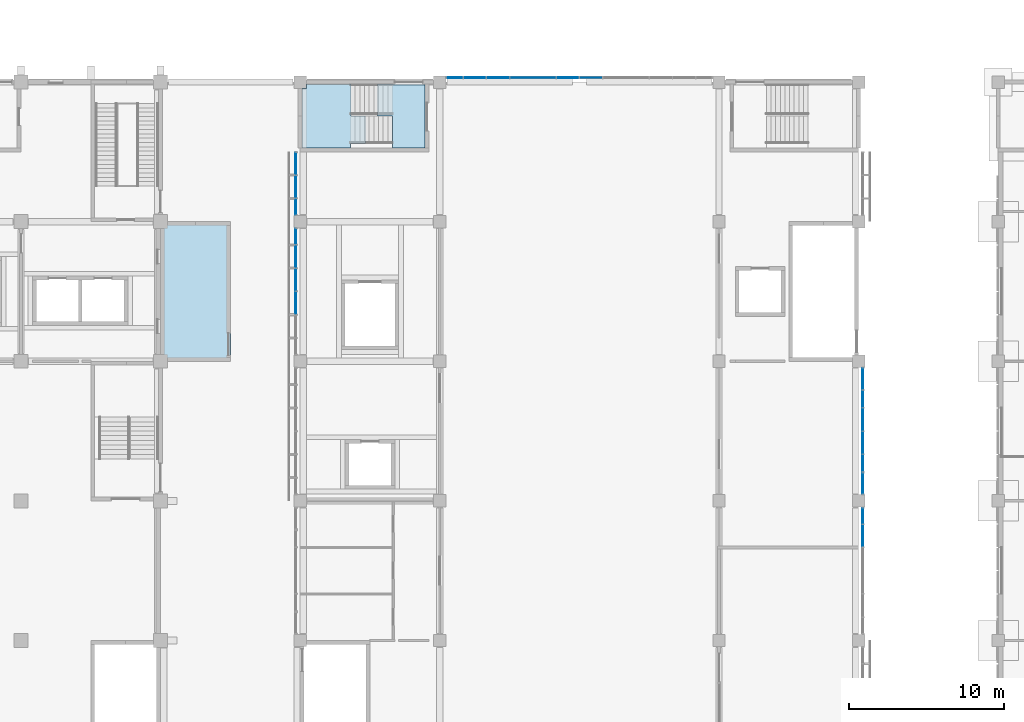
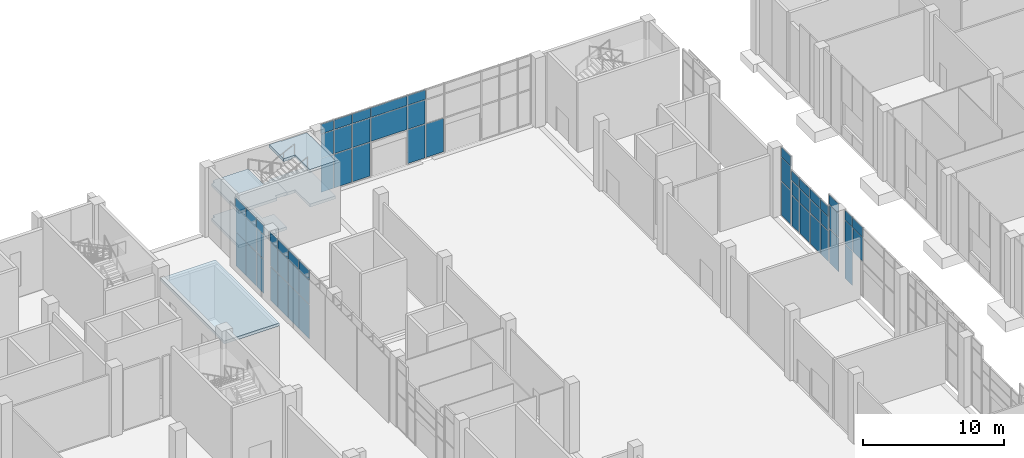
# One storey, part 43 of 86: 59 plates, 5 slabs, 8 elements without a shape of their own.
"""IFC4 building model written with IfcOpenShell, lengths in metres."""

from ifc_helpers import new_model, si_unit, direction, frame, origin, origin_2d, place, context, subcontext, project, spatial, polyline, rectangle, outline, extrude, material, layer, layer_set, type_object, element, aggregate, save


model = new_model("IFC4")

# Units and contexts
model_context = context("Model", 3, precision=1e-05, world=origin(), true_north=direction((0.0, 1.0)))
body_context = subcontext(model_context, "Body", "Model", "MODEL_VIEW")
ifc_project = project(units=[si_unit("LENGTHUNIT", "METRE"), si_unit("AREAUNIT", "SQUARE_METRE"), si_unit("VOLUMEUNIT", "CUBIC_METRE"), si_unit("PLANEANGLEUNIT", "RADIAN"), si_unit("MASSUNIT", "GRAM", prefix="KILO")], contexts=[model_context])

# Site, building, storey
site_placement = place(None, origin())
site = spatial("IfcSite", under=ifc_project, at=site_placement, CompositionType="ELEMENT")
building_placement = place(site_placement, origin())
building = spatial("IfcBuilding", under=site, at=building_placement, Name="Guidao Yard Department Store", CompositionType="ELEMENT")
storey_placement = place(building_placement, origin())
storey = spatial("IfcBuildingStorey", under=building, at=storey_placement, Name="L00", CompositionType="ELEMENT", Elevation=0.0)

# Slab
ifc_material_1 = material(Name="Concrete C35", Category="concrete")
ifc_layer_1 = layer(ifc_material_1, 0.25)
ifc_layer_set_1 = layer_set([ifc_layer_1], Name="Roof slab RC 250 C35 head house")
slab_type_1 = type_object("IfcSlabType", Name="Roof slab RC 250 C35 head house", PredefinedType="ROOF", material=ifc_layer_set_1)
slab_1_placement = place(storey_placement, frame((0.0, 0.0, 4.5)))
element("IfcSlab", 1, at=slab_1_placement, inside=storey, type_object=slab_type_1, Name="Basement stair H2 head roof", PredefinedType="ROOF", context=body_context, shape_type="SweptSolid", body=[
    extrude(outline(polyline([(63.0, 90.0), (67.5, 90.0), (67.5, 99.0), (63.0, 99.0), (63.0, 90.0)])), origin(), (0.0, 0.0, 1.0), 0.25),
])

# Curtain wall, plates
ifc_material_2 = material(Name="Aluminium and glass", Category="aluminium")
ifc_layer_2 = layer(ifc_material_2, 0.159912109375)
ifc_layer_set_2 = layer_set([ifc_layer_2], Name="Shopfront curtain wall CW1 1500 module")
curtain_wall_type = type_object("IfcCurtainWallType", Name="Shopfront curtain wall CW1 1500 module", PredefinedType="NOTDEFINED", material=ifc_layer_set_2)
curtain_wall_1_placement = place(storey_placement, origin())
curtain_wall_1 = element("IfcCurtainWall", 2, at=curtain_wall_1_placement, inside=storey, type_object=curtain_wall_type, Name="Arcade shop front", PredefinedType="NOTDEFINED")
ifc_material_3 = material(Name="Aluminium 6063-T5 faced insulated spandrel", Category="aluminium")
ifc_layer_3 = layer(ifc_material_3, 0.06005859375)
ifc_layer_set_3 = layer_set([ifc_layer_3], Name="Spandrel panel SP1 insulated opaque")
plate_type_1 = type_object("IfcPlateType", Name="Spandrel panel SP1 insulated opaque", PredefinedType="CURTAIN_PANEL", material=ifc_layer_set_3)
plate_1_placement = place(storey_placement, frame((71.719970703125, 93.75, 5.1298828125), z_axis=(0.0, 0.0, 1.0), x_axis=(0.0, 1.0, 0.0)))
plate_1 = element("IfcPlate", 3, at=plate_1_placement, type_object=plate_type_1, Name="CW-AS-L00-09 panel 3.3", PredefinedType="CURTAIN_PANEL", context=body_context, shape_type="SweptSolid", body=[
    extrude(rectangle(XDim=1.43994140625, YDim=0.06005859375, at=origin_2d()), origin(), (0.0, 0.0, 1.0), 0.81005859375),
])
plate_2_placement = place(storey_placement, frame((71.719970703125, 95.25, 5.1298828125), z_axis=(0.0, 0.0, 1.0), x_axis=(0.0, 1.0, 0.0)))
plate_2 = element("IfcPlate", 4, at=plate_2_placement, type_object=plate_type_1, Name="CW-AS-L00-09 panel 4.3", PredefinedType="CURTAIN_PANEL", context=body_context, shape_type="SweptSolid", body=[
    extrude(rectangle(XDim=1.43994140625, YDim=0.06005859375, at=origin_2d()), origin(), (0.0, 0.0, 1.0), 0.81005859375),
])
plate_3_placement = place(storey_placement, frame((71.719970703125, 96.75, 5.1298828125), z_axis=(0.0, 0.0, 1.0), x_axis=(0.0, 1.0, 0.0)))
plate_3 = element("IfcPlate", 5, at=plate_3_placement, type_object=plate_type_1, Name="CW-AS-L00-09 panel 5.3", PredefinedType="CURTAIN_PANEL", context=body_context, shape_type="SweptSolid", body=[
    extrude(rectangle(XDim=1.43994140625, YDim=0.06005859375, at=origin_2d()), origin(), (0.0, 0.0, 1.0), 0.81005859375),
])
plate_4_placement = place(storey_placement, frame((71.719970703125, 98.034912109375, 5.1298828125), z_axis=(0.0, 0.0, 1.0), x_axis=(0.0, 1.0, 0.0)))
plate_4 = element("IfcPlate", 6, at=plate_4_placement, type_object=plate_type_1, Name="CW-AS-L00-09 panel 6.3", PredefinedType="CURTAIN_PANEL", context=body_context, shape_type="SweptSolid", body=[
    extrude(rectangle(XDim=1.010009765625, YDim=0.06005859375, at=origin_2d()), origin(), (0.0, 0.0, 1.0), 0.81005859375),
])

curtain_wall_2_placement = place(storey_placement, origin())
curtain_wall_2 = element("IfcCurtainWall", 7, at=curtain_wall_2_placement, inside=storey, type_object=curtain_wall_type, Name="Arcade shop front", PredefinedType="NOTDEFINED")
plate_5_placement = place(storey_placement, frame((71.719970703125, 99.965087890625, 5.1298828125), z_axis=(0.0, 0.0, 1.0), x_axis=(0.0, 1.0, 0.0)))
plate_5 = element("IfcPlate", 8, at=plate_5_placement, type_object=plate_type_1, Name="CW-AS-L00-10 panel 1.3", PredefinedType="CURTAIN_PANEL", context=body_context, shape_type="SweptSolid", body=[
    extrude(rectangle(XDim=1.010009765625, YDim=0.06005859375, at=origin_2d()), origin(), (0.0, 0.0, 1.0), 0.81005859375),
])
plate_6_placement = place(storey_placement, frame((71.719970703125, 101.25, 5.1298828125), z_axis=(0.0, 0.0, 1.0), x_axis=(0.0, 1.0, 0.0)))
plate_6 = element("IfcPlate", 9, at=plate_6_placement, type_object=plate_type_1, Name="CW-AS-L00-10 panel 2.3", PredefinedType="CURTAIN_PANEL", context=body_context, shape_type="SweptSolid", body=[
    extrude(rectangle(XDim=1.43994140625, YDim=0.06005859375, at=origin_2d()), origin(), (0.0, 0.0, 1.0), 0.81005859375),
])
plate_7_placement = place(storey_placement, frame((71.719970703125, 102.735107421875, 5.1298828125), z_axis=(0.0, 0.0, 1.0), x_axis=(0.0, 1.0, 0.0)))
plate_7 = element("IfcPlate", 10, at=plate_7_placement, type_object=plate_type_1, Name="CW-AS-L00-10 panel 3.3", PredefinedType="CURTAIN_PANEL", context=body_context, shape_type="SweptSolid", body=[
    extrude(rectangle(XDim=1.409912109375, YDim=0.06005859375, at=origin_2d()), origin(), (0.0, 0.0, 1.0), 0.81005859375),
])

curtain_wall_3_placement = place(storey_placement, origin())
curtain_wall_3 = element("IfcCurtainWall", 11, at=curtain_wall_3_placement, inside=storey, type_object=curtain_wall_type, Name="Arcade shop front", PredefinedType="NOTDEFINED")
plate_8_placement = place(storey_placement, frame((108.280029296875, 78.75, 5.1298828125), z_axis=(0.0, 0.0, 1.0), x_axis=(0.0, -1.0, 0.0)))
plate_8 = element("IfcPlate", 12, at=plate_8_placement, type_object=plate_type_1, Name="CW-AS-L00-16 panel 4.3", PredefinedType="CURTAIN_PANEL", context=body_context, shape_type="SweptSolid", body=[
    extrude(rectangle(XDim=1.43994140625, YDim=0.06005859375, at=origin_2d()), origin(), (0.0, 0.0, 1.0), 0.81005859375),
])
plate_9_placement = place(storey_placement, frame((108.280029296875, 80.034912109375, 5.1298828125), z_axis=(0.0, 0.0, 1.0), x_axis=(0.0, -1.0, 0.0)))
plate_9 = element("IfcPlate", 13, at=plate_9_placement, type_object=plate_type_1, Name="CW-AS-L00-16 panel 5.3", PredefinedType="CURTAIN_PANEL", context=body_context, shape_type="SweptSolid", body=[
    extrude(rectangle(XDim=1.010009765625, YDim=0.06005859375, at=origin_2d()), origin(), (0.0, 0.0, 1.0), 0.81005859375),
])

# Curtain wall, plate
curtain_wall_4_placement = place(storey_placement, origin())
curtain_wall_4 = element("IfcCurtainWall", 14, at=curtain_wall_4_placement, inside=storey, type_object=curtain_wall_type, Name="Arcade shop front", PredefinedType="NOTDEFINED")
plate_10_placement = place(storey_placement, frame((108.280029296875, 82.125, 5.1298828125), z_axis=(0.0, 0.0, 1.0), x_axis=(0.0, -1.0, 0.0)))
plate_10 = element("IfcPlate", 15, at=plate_10_placement, type_object=plate_type_1, Name="CW-AS-L00-17 panel 1.3", PredefinedType="CURTAIN_PANEL", context=body_context, shape_type="SweptSolid", body=[
    extrude(rectangle(XDim=1.330078125, YDim=0.06005859375, at=origin_2d()), origin(), (0.0, 0.0, 1.0), 0.81005859375),
])

# Curtain wall, plates
curtain_wall_5_placement = place(storey_placement, origin())
curtain_wall_5 = element("IfcCurtainWall", 16, at=curtain_wall_5_placement, inside=storey, type_object=curtain_wall_type, Name="Arcade shop front", PredefinedType="NOTDEFINED")
plate_11_placement = place(storey_placement, frame((108.280029296875, 83.43994140625, 3.97998046875), z_axis=(0.0, 0.0, 1.0), x_axis=(0.0, -1.0, 0.0)))
plate_11 = element("IfcPlate", 17, at=plate_11_placement, type_object=plate_type_1, Name="CW-AS-L00-18 panel 1.3", PredefinedType="CURTAIN_PANEL", context=body_context, shape_type="SweptSolid", body=[
    extrude(rectangle(XDim=1.06005859375, YDim=0.06005859375, at=origin_2d()), origin(), (0.0, 0.0, 1.0), 0.81005859375),
])
plate_12_placement = place(storey_placement, frame((108.280029296875, 84.75, 3.97998046875), z_axis=(0.0, 0.0, 1.0), x_axis=(0.0, -1.0, 0.0)))
plate_12 = element("IfcPlate", 18, at=plate_12_placement, type_object=plate_type_1, Name="CW-AS-L00-18 panel 2.3", PredefinedType="CURTAIN_PANEL", context=body_context, shape_type="SweptSolid", body=[
    extrude(rectangle(XDim=1.43994140625, YDim=0.06005859375, at=origin_2d()), origin(), (0.0, 0.0, 1.0), 0.81005859375),
])
plate_13_placement = place(storey_placement, frame((108.280029296875, 86.25, 3.97998046875), z_axis=(0.0, 0.0, 1.0), x_axis=(0.0, -1.0, 0.0)))
plate_13 = element("IfcPlate", 19, at=plate_13_placement, type_object=plate_type_1, Name="CW-AS-L00-18 panel 3.3", PredefinedType="CURTAIN_PANEL", context=body_context, shape_type="SweptSolid", body=[
    extrude(rectangle(XDim=1.43994140625, YDim=0.06005859375, at=origin_2d()), origin(), (0.0, 0.0, 1.0), 0.81005859375),
])
plate_14_placement = place(storey_placement, frame((108.280029296875, 87.56005859375, 3.97998046875), z_axis=(0.0, 0.0, 1.0), x_axis=(0.0, -1.0, 0.0)))
plate_14 = element("IfcPlate", 20, at=plate_14_placement, type_object=plate_type_1, Name="CW-AS-L00-18 panel 4.3", PredefinedType="CURTAIN_PANEL", context=body_context, shape_type="SweptSolid", body=[
    extrude(rectangle(XDim=1.06005859375, YDim=0.06005859375, at=origin_2d()), origin(), (0.0, 0.0, 1.0), 0.81005859375),
])

# Curtain wall, plate
curtain_wall_6_placement = place(storey_placement, origin())
curtain_wall_6 = element("IfcCurtainWall", 21, at=curtain_wall_6_placement, inside=storey, type_object=curtain_wall_type, Name="Arcade shop front", PredefinedType="NOTDEFINED")
plate_15_placement = place(storey_placement, frame((108.280029296875, 88.875, 5.1298828125), z_axis=(0.0, 0.0, 1.0), x_axis=(0.0, -1.0, 0.0)))
plate_15 = element("IfcPlate", 22, at=plate_15_placement, type_object=plate_type_1, Name="CW-AS-L00-19 panel 1.3", PredefinedType="CURTAIN_PANEL", context=body_context, shape_type="SweptSolid", body=[
    extrude(rectangle(XDim=1.330078125, YDim=0.06005859375, at=origin_2d()), origin(), (0.0, 0.0, 1.0), 0.81005859375),
])

# Curtain wall, plates
curtain_wall_7_placement = place(storey_placement, origin())
curtain_wall_7 = element("IfcCurtainWall", 23, at=curtain_wall_7_placement, inside=storey, type_object=curtain_wall_type, Name="Arcade gable glazing", PredefinedType="NOTDEFINED")
plate_16_placement = place(storey_placement, frame((81.965087890625, 108.280029296875, 5.1298828125), z_axis=(0.0, 0.0, 1.0), x_axis=(1.0, 0.0, 0.0)))
plate_16 = element("IfcPlate", 24, at=plate_16_placement, type_object=plate_type_1, Name="CW-AG-L00-01 panel 1.3", PredefinedType="CURTAIN_PANEL", context=body_context, shape_type="SweptSolid", body=[
    extrude(rectangle(XDim=1.010009765625, YDim=0.06005859375, at=origin_2d()), origin(), (0.0, 0.0, 1.0), 0.81005859375),
])
plate_17_placement = place(storey_placement, frame((83.25, 108.280029296875, 5.1298828125), z_axis=(0.0, 0.0, 1.0), x_axis=(1.0, 0.0, 0.0)))
plate_17 = element("IfcPlate", 25, at=plate_17_placement, type_object=plate_type_1, Name="CW-AG-L00-01 panel 2.3", PredefinedType="CURTAIN_PANEL", context=body_context, shape_type="SweptSolid", body=[
    extrude(rectangle(XDim=1.43994140625, YDim=0.06005859375, at=origin_2d()), origin(), (0.0, 0.0, 1.0), 0.81005859375),
])
plate_18_placement = place(storey_placement, frame((84.75, 108.280029296875, 5.1298828125), z_axis=(0.0, 0.0, 1.0), x_axis=(1.0, 0.0, 0.0)))
plate_18 = element("IfcPlate", 26, at=plate_18_placement, type_object=plate_type_1, Name="CW-AG-L00-01 panel 3.3", PredefinedType="CURTAIN_PANEL", context=body_context, shape_type="SweptSolid", body=[
    extrude(rectangle(XDim=1.43994140625, YDim=0.06005859375, at=origin_2d()), origin(), (0.0, 0.0, 1.0), 0.81005859375),
])
plate_19_placement = place(storey_placement, frame((87.0, 108.280029296875, 5.1298828125), z_axis=(0.0, 0.0, 1.0), x_axis=(1.0, 0.0, 0.0)))
plate_19 = element("IfcPlate", 27, at=plate_19_placement, type_object=plate_type_1, Name="CW-AG-L00-01 panel 4.3", PredefinedType="CURTAIN_PANEL", context=body_context, shape_type="SweptSolid", body=[
    extrude(rectangle(XDim=2.93994140625, YDim=0.06005859375, at=origin_2d()), origin(), (0.0, 0.0, 1.0), 0.81005859375),
])
plate_20_placement = place(storey_placement, frame((89.25, 108.280029296875, 5.1298828125), z_axis=(0.0, 0.0, 1.0), x_axis=(1.0, 0.0, 0.0)))
plate_20 = element("IfcPlate", 28, at=plate_20_placement, type_object=plate_type_1, Name="CW-AG-L00-01 panel 5.3", PredefinedType="CURTAIN_PANEL", context=body_context, shape_type="SweptSolid", body=[
    extrude(rectangle(XDim=1.43994140625, YDim=0.06005859375, at=origin_2d()), origin(), (0.0, 0.0, 1.0), 0.81005859375),
])

# Stair, slabs
ifc_material_4 = material(Name="Concrete C35", Category="concrete")
stair_type = type_object("IfcStairType", Name="Stair double-return four-flight 1800 wide 6.0 m rise", PredefinedType="DOUBLE_RETURN_STAIR", material=ifc_material_4)
stair_placement = place(storey_placement, origin())
stair = element("IfcStair", 29, at=stair_placement, inside=storey, type_object=stair_type, Name="Stair G2 L00 to L01", PredefinedType="DOUBLE_RETURN_STAIR")
ifc_material_5 = material(Name="Concrete C35", Category="concrete")
ifc_layer_4 = layer(ifc_material_5, 0.25)
ifc_layer_set_4 = layer_set([ifc_layer_4], Name="Stair landing RC 250 C35")
slab_type_2 = type_object("IfcSlabType", Name="Stair landing RC 250 C35", PredefinedType="LANDING", material=ifc_layer_set_4)
slab_2_placement = place(storey_placement, frame((0.0, 0.0, 1.25)))
slab_2 = element("IfcSlab", 30, at=slab_2_placement, type_object=slab_type_2, Name="SG2-L00 landing 1", PredefinedType="LANDING", context=body_context, shape_type="SweptSolid", body=[
    extrude(outline(polyline([(76.2099609375, 104.02490234375), (75.25, 104.02490234375), (75.25, 103.75), (72.125, 103.75), (72.125, 107.60009765625), (72.39990234375, 107.60009765625), (72.39990234375, 107.875), (75.25, 107.875), (75.260009765625, 107.875), (75.260009765625, 105.824951171875), (76.2099609375, 105.824951171875), (76.2099609375, 104.02490234375)])), origin(), (0.0, 0.0, 1.0), 0.25),
])
slab_3_placement = place(storey_placement, frame((0.0, 0.0, 2.75)))
slab_3 = element("IfcSlab", 31, at=slab_3_placement, type_object=slab_type_2, Name="SG2-L00 landing 2", PredefinedType="LANDING", context=body_context, shape_type="SweptSolid", body=[
    extrude(outline(polyline([(77.93994140625, 105.824951171875), (76.989990234375, 105.824951171875), (76.989990234375, 107.875), (77.949951171875, 107.875), (80.050048828125, 107.875), (80.050048828125, 103.75), (77.949951171875, 103.75), (77.949951171875, 104.02490234375), (77.93994140625, 104.02490234375), (77.93994140625, 105.824951171875)])), origin(), (0.0, 0.0, 1.0), 0.25),
])
slab_4_placement = place(storey_placement, frame((0.0, 0.0, 4.25)))
slab_4 = element("IfcSlab", 32, at=slab_4_placement, type_object=slab_type_2, Name="SG2-L00 landing 3", PredefinedType="LANDING", context=body_context, shape_type="SweptSolid", body=[
    extrude(outline(polyline([(76.2099609375, 104.02490234375), (75.25, 104.02490234375), (75.25, 103.75), (72.125, 103.75), (72.125, 107.60009765625), (72.39990234375, 107.60009765625), (72.39990234375, 107.875), (75.25, 107.875), (75.260009765625, 107.875), (75.260009765625, 105.824951171875), (76.2099609375, 105.824951171875), (76.2099609375, 104.02490234375)])), origin(), (0.0, 0.0, 1.0), 0.25),
])
slab_5_placement = place(storey_placement, frame((0.0, 0.0, 5.75)))
slab_5 = element("IfcSlab", 33, at=slab_5_placement, type_object=slab_type_2, Name="SG2-L00 landing 4", PredefinedType="LANDING", context=body_context, shape_type="SweptSolid", body=[
    extrude(outline(polyline([(77.93994140625, 103.75), (77.93994140625, 105.824951171875), (76.989990234375, 105.824951171875), (76.989990234375, 107.875), (77.949951171875, 107.875), (77.949951171875, 107.800048828125), (80.050048828125, 107.800048828125), (80.050048828125, 105.824951171875), (80.050048828125, 103.75), (77.93994140625, 103.75)])), origin(), (0.0, 0.0, 1.0), 0.25),
])
aggregate(stair, [slab_2, slab_3, slab_4, slab_5])

# Plate
ifc_material_6 = material(Name="Laminated heat-soaked tempered glass", Category="glass")
ifc_layer_5 = layer(ifc_material_6, 0.017578125)
ifc_layer_set_5 = layer_set([ifc_layer_5], Name="Vision glass VG1 laminated heat-soaked tempered 8+8")
plate_type_2 = type_object("IfcPlateType", Name="Vision glass VG1 laminated heat-soaked tempered 8+8", PredefinedType="CURTAIN_PANEL", material=ifc_layer_set_5)
plate_21_placement = place(storey_placement, frame((71.719970703125, 93.75, 0.06005859375), z_axis=(0.0, 0.0, 1.0), x_axis=(0.0, 1.0, 0.0)))
plate_21 = element("IfcPlate", 34, at=plate_21_placement, type_object=plate_type_2, Name="CW-AS-L00-09 panel 3.1", PredefinedType="CURTAIN_PANEL", context=body_context, shape_type="SweptSolid", body=[
    extrude(rectangle(XDim=1.43994140625, YDim=0.017578125, at=origin_2d()), origin(), (0.0, 0.0, 1.0), 2.909912109375),
])

plate_22_placement = place(storey_placement, frame((71.719970703125, 93.75, 3.030029296875), z_axis=(0.0, 0.0, 1.0), x_axis=(0.0, 1.0, 0.0)))
plate_22 = element("IfcPlate", 35, at=plate_22_placement, type_object=plate_type_2, Name="CW-AS-L00-09 panel 3.2", PredefinedType="CURTAIN_PANEL", context=body_context, shape_type="SweptSolid", body=[
    extrude(rectangle(XDim=1.43994140625, YDim=0.017578125, at=origin_2d()), origin(), (0.0, 0.0, 1.0), 2.0400390625),
])

plate_23_placement = place(storey_placement, frame((71.719970703125, 95.25, 0.06005859375), z_axis=(0.0, 0.0, 1.0), x_axis=(0.0, 1.0, 0.0)))
plate_23 = element("IfcPlate", 36, at=plate_23_placement, type_object=plate_type_2, Name="CW-AS-L00-09 panel 4.1", PredefinedType="CURTAIN_PANEL", context=body_context, shape_type="SweptSolid", body=[
    extrude(rectangle(XDim=1.43994140625, YDim=0.017578125, at=origin_2d()), origin(), (0.0, 0.0, 1.0), 2.909912109375),
])

plate_24_placement = place(storey_placement, frame((71.719970703125, 95.25, 3.030029296875), z_axis=(0.0, 0.0, 1.0), x_axis=(0.0, 1.0, 0.0)))
plate_24 = element("IfcPlate", 37, at=plate_24_placement, type_object=plate_type_2, Name="CW-AS-L00-09 panel 4.2", PredefinedType="CURTAIN_PANEL", context=body_context, shape_type="SweptSolid", body=[
    extrude(rectangle(XDim=1.43994140625, YDim=0.017578125, at=origin_2d()), origin(), (0.0, 0.0, 1.0), 2.0400390625),
])

plate_25_placement = place(storey_placement, frame((71.719970703125, 96.75, 0.06005859375), z_axis=(0.0, 0.0, 1.0), x_axis=(0.0, 1.0, 0.0)))
plate_25 = element("IfcPlate", 38, at=plate_25_placement, type_object=plate_type_2, Name="CW-AS-L00-09 panel 5.1", PredefinedType="CURTAIN_PANEL", context=body_context, shape_type="SweptSolid", body=[
    extrude(rectangle(XDim=1.43994140625, YDim=0.017578125, at=origin_2d()), origin(), (0.0, 0.0, 1.0), 2.909912109375),
])

plate_26_placement = place(storey_placement, frame((71.719970703125, 96.75, 3.030029296875), z_axis=(0.0, 0.0, 1.0), x_axis=(0.0, 1.0, 0.0)))
plate_26 = element("IfcPlate", 39, at=plate_26_placement, type_object=plate_type_2, Name="CW-AS-L00-09 panel 5.2", PredefinedType="CURTAIN_PANEL", context=body_context, shape_type="SweptSolid", body=[
    extrude(rectangle(XDim=1.43994140625, YDim=0.017578125, at=origin_2d()), origin(), (0.0, 0.0, 1.0), 2.0400390625),
])

plate_27_placement = place(storey_placement, frame((71.719970703125, 98.034912109375, 0.06005859375), z_axis=(0.0, 0.0, 1.0), x_axis=(0.0, 1.0, 0.0)))
plate_27 = element("IfcPlate", 40, at=plate_27_placement, type_object=plate_type_2, Name="CW-AS-L00-09 panel 6.1", PredefinedType="CURTAIN_PANEL", context=body_context, shape_type="SweptSolid", body=[
    extrude(rectangle(XDim=1.010009765625, YDim=0.017578125, at=origin_2d()), origin(), (0.0, 0.0, 1.0), 2.909912109375),
])

plate_28_placement = place(storey_placement, frame((71.719970703125, 98.034912109375, 3.030029296875), z_axis=(0.0, 0.0, 1.0), x_axis=(0.0, 1.0, 0.0)))
plate_28 = element("IfcPlate", 41, at=plate_28_placement, type_object=plate_type_2, Name="CW-AS-L00-09 panel 6.2", PredefinedType="CURTAIN_PANEL", context=body_context, shape_type="SweptSolid", body=[
    extrude(rectangle(XDim=1.010009765625, YDim=0.017578125, at=origin_2d()), origin(), (0.0, 0.0, 1.0), 2.0400390625),
])

aggregate(curtain_wall_1, [plate_21, plate_22, plate_1, plate_23, plate_24, plate_2, plate_25, plate_26, plate_3, plate_27, plate_28, plate_4])

plate_29_placement = place(storey_placement, frame((71.719970703125, 99.965087890625, 0.06005859375), z_axis=(0.0, 0.0, 1.0), x_axis=(0.0, 1.0, 0.0)))
plate_29 = element("IfcPlate", 42, at=plate_29_placement, type_object=plate_type_2, Name="CW-AS-L00-10 panel 1.1", PredefinedType="CURTAIN_PANEL", context=body_context, shape_type="SweptSolid", body=[
    extrude(rectangle(XDim=1.010009765625, YDim=0.017578125, at=origin_2d()), origin(), (0.0, 0.0, 1.0), 2.909912109375),
])

plate_30_placement = place(storey_placement, frame((71.719970703125, 99.965087890625, 3.030029296875), z_axis=(0.0, 0.0, 1.0), x_axis=(0.0, 1.0, 0.0)))
plate_30 = element("IfcPlate", 43, at=plate_30_placement, type_object=plate_type_2, Name="CW-AS-L00-10 panel 1.2", PredefinedType="CURTAIN_PANEL", context=body_context, shape_type="SweptSolid", body=[
    extrude(rectangle(XDim=1.010009765625, YDim=0.017578125, at=origin_2d()), origin(), (0.0, 0.0, 1.0), 2.0400390625),
])

plate_31_placement = place(storey_placement, frame((71.719970703125, 101.25, 0.06005859375), z_axis=(0.0, 0.0, 1.0), x_axis=(0.0, 1.0, 0.0)))
plate_31 = element("IfcPlate", 44, at=plate_31_placement, type_object=plate_type_2, Name="CW-AS-L00-10 panel 2.1", PredefinedType="CURTAIN_PANEL", context=body_context, shape_type="SweptSolid", body=[
    extrude(rectangle(XDim=1.43994140625, YDim=0.017578125, at=origin_2d()), origin(), (0.0, 0.0, 1.0), 2.909912109375),
])

plate_32_placement = place(storey_placement, frame((71.719970703125, 101.25, 3.030029296875), z_axis=(0.0, 0.0, 1.0), x_axis=(0.0, 1.0, 0.0)))
plate_32 = element("IfcPlate", 45, at=plate_32_placement, type_object=plate_type_2, Name="CW-AS-L00-10 panel 2.2", PredefinedType="CURTAIN_PANEL", context=body_context, shape_type="SweptSolid", body=[
    extrude(rectangle(XDim=1.43994140625, YDim=0.017578125, at=origin_2d()), origin(), (0.0, 0.0, 1.0), 2.0400390625),
])

plate_33_placement = place(storey_placement, frame((71.719970703125, 102.735107421875, 0.06005859375), z_axis=(0.0, 0.0, 1.0), x_axis=(0.0, 1.0, 0.0)))
plate_33 = element("IfcPlate", 46, at=plate_33_placement, type_object=plate_type_2, Name="CW-AS-L00-10 panel 3.1", PredefinedType="CURTAIN_PANEL", context=body_context, shape_type="SweptSolid", body=[
    extrude(rectangle(XDim=1.409912109375, YDim=0.017578125, at=origin_2d()), origin(), (0.0, 0.0, 1.0), 2.909912109375),
])

plate_34_placement = place(storey_placement, frame((71.719970703125, 102.735107421875, 3.030029296875), z_axis=(0.0, 0.0, 1.0), x_axis=(0.0, 1.0, 0.0)))
plate_34 = element("IfcPlate", 47, at=plate_34_placement, type_object=plate_type_2, Name="CW-AS-L00-10 panel 3.2", PredefinedType="CURTAIN_PANEL", context=body_context, shape_type="SweptSolid", body=[
    extrude(rectangle(XDim=1.409912109375, YDim=0.017578125, at=origin_2d()), origin(), (0.0, 0.0, 1.0), 2.0400390625),
])

aggregate(curtain_wall_2, [plate_29, plate_30, plate_5, plate_31, plate_32, plate_6, plate_33, plate_34, plate_7])

plate_35_placement = place(storey_placement, frame((108.280029296875, 78.75, 3.030029296875), z_axis=(0.0, 0.0, 1.0), x_axis=(0.0, -1.0, 0.0)))
plate_35 = element("IfcPlate", 48, at=plate_35_placement, type_object=plate_type_2, Name="CW-AS-L00-16 panel 4.2", PredefinedType="CURTAIN_PANEL", context=body_context, shape_type="SweptSolid", body=[
    extrude(rectangle(XDim=1.43994140625, YDim=0.017578125, at=origin_2d()), origin(), (0.0, 0.0, 1.0), 2.0400390625),
])

plate_36_placement = place(storey_placement, frame((108.280029296875, 80.034912109375, 0.06005859375), z_axis=(0.0, 0.0, 1.0), x_axis=(0.0, -1.0, 0.0)))
plate_36 = element("IfcPlate", 49, at=plate_36_placement, type_object=plate_type_2, Name="CW-AS-L00-16 panel 5.1", PredefinedType="CURTAIN_PANEL", context=body_context, shape_type="SweptSolid", body=[
    extrude(rectangle(XDim=1.010009765625, YDim=0.017578125, at=origin_2d()), origin(), (0.0, 0.0, 1.0), 2.909912109375),
])

plate_37_placement = place(storey_placement, frame((108.280029296875, 80.034912109375, 3.030029296875), z_axis=(0.0, 0.0, 1.0), x_axis=(0.0, -1.0, 0.0)))
plate_37 = element("IfcPlate", 50, at=plate_37_placement, type_object=plate_type_2, Name="CW-AS-L00-16 panel 5.2", PredefinedType="CURTAIN_PANEL", context=body_context, shape_type="SweptSolid", body=[
    extrude(rectangle(XDim=1.010009765625, YDim=0.017578125, at=origin_2d()), origin(), (0.0, 0.0, 1.0), 2.0400390625),
])

aggregate(curtain_wall_3, [plate_35, plate_8, plate_36, plate_37, plate_9])

plate_38_placement = place(storey_placement, frame((108.280029296875, 82.125, 0.06005859375), z_axis=(0.0, 0.0, 1.0), x_axis=(0.0, -1.0, 0.0)))
plate_38 = element("IfcPlate", 51, at=plate_38_placement, type_object=plate_type_2, Name="CW-AS-L00-17 panel 1.1", PredefinedType="CURTAIN_PANEL", context=body_context, shape_type="SweptSolid", body=[
    extrude(rectangle(XDim=1.330078125, YDim=0.017578125, at=origin_2d()), origin(), (0.0, 0.0, 1.0), 2.909912109375),
])

plate_39_placement = place(storey_placement, frame((108.280029296875, 82.125, 3.030029296875), z_axis=(0.0, 0.0, 1.0), x_axis=(0.0, -1.0, 0.0)))
plate_39 = element("IfcPlate", 52, at=plate_39_placement, type_object=plate_type_2, Name="CW-AS-L00-17 panel 1.2", PredefinedType="CURTAIN_PANEL", context=body_context, shape_type="SweptSolid", body=[
    extrude(rectangle(XDim=1.330078125, YDim=0.017578125, at=origin_2d()), origin(), (0.0, 0.0, 1.0), 2.0400390625),
])

aggregate(curtain_wall_4, [plate_38, plate_39, plate_10])

plate_40_placement = place(storey_placement, frame((108.280029296875, 83.43994140625, 0.06005859375), z_axis=(0.0, 0.0, 1.0), x_axis=(0.0, -1.0, 0.0)))
plate_40 = element("IfcPlate", 53, at=plate_40_placement, type_object=plate_type_2, Name="CW-AS-L00-18 panel 1.1", PredefinedType="CURTAIN_PANEL", context=body_context, shape_type="SweptSolid", body=[
    extrude(rectangle(XDim=1.06005859375, YDim=0.017578125, at=origin_2d()), origin(), (0.0, 0.0, 1.0), 2.610107421875),
])

plate_41_placement = place(storey_placement, frame((108.280029296875, 83.43994140625, 2.72998046875), z_axis=(0.0, 0.0, 1.0), x_axis=(0.0, -1.0, 0.0)))
plate_41 = element("IfcPlate", 54, at=plate_41_placement, type_object=plate_type_2, Name="CW-AS-L00-18 panel 1.2", PredefinedType="CURTAIN_PANEL", context=body_context, shape_type="SweptSolid", body=[
    extrude(rectangle(XDim=1.06005859375, YDim=0.017578125, at=origin_2d()), origin(), (0.0, 0.0, 1.0), 1.18994140625),
])

plate_42_placement = place(storey_placement, frame((108.280029296875, 84.75, 0.06005859375), z_axis=(0.0, 0.0, 1.0), x_axis=(0.0, -1.0, 0.0)))
plate_42 = element("IfcPlate", 55, at=plate_42_placement, type_object=plate_type_2, Name="CW-AS-L00-18 panel 2.1", PredefinedType="CURTAIN_PANEL", context=body_context, shape_type="SweptSolid", body=[
    extrude(rectangle(XDim=1.43994140625, YDim=0.017578125, at=origin_2d()), origin(), (0.0, 0.0, 1.0), 2.610107421875),
])

plate_43_placement = place(storey_placement, frame((108.280029296875, 84.75, 2.72998046875), z_axis=(0.0, 0.0, 1.0), x_axis=(0.0, -1.0, 0.0)))
plate_43 = element("IfcPlate", 56, at=plate_43_placement, type_object=plate_type_2, Name="CW-AS-L00-18 panel 2.2", PredefinedType="CURTAIN_PANEL", context=body_context, shape_type="SweptSolid", body=[
    extrude(rectangle(XDim=1.43994140625, YDim=0.017578125, at=origin_2d()), origin(), (0.0, 0.0, 1.0), 1.18994140625),
])

plate_44_placement = place(storey_placement, frame((108.280029296875, 86.25, 0.06005859375), z_axis=(0.0, 0.0, 1.0), x_axis=(0.0, -1.0, 0.0)))
plate_44 = element("IfcPlate", 57, at=plate_44_placement, type_object=plate_type_2, Name="CW-AS-L00-18 panel 3.1", PredefinedType="CURTAIN_PANEL", context=body_context, shape_type="SweptSolid", body=[
    extrude(rectangle(XDim=1.43994140625, YDim=0.017578125, at=origin_2d()), origin(), (0.0, 0.0, 1.0), 2.610107421875),
])

plate_45_placement = place(storey_placement, frame((108.280029296875, 86.25, 2.72998046875), z_axis=(0.0, 0.0, 1.0), x_axis=(0.0, -1.0, 0.0)))
plate_45 = element("IfcPlate", 58, at=plate_45_placement, type_object=plate_type_2, Name="CW-AS-L00-18 panel 3.2", PredefinedType="CURTAIN_PANEL", context=body_context, shape_type="SweptSolid", body=[
    extrude(rectangle(XDim=1.43994140625, YDim=0.017578125, at=origin_2d()), origin(), (0.0, 0.0, 1.0), 1.18994140625),
])

plate_46_placement = place(storey_placement, frame((108.280029296875, 87.56005859375, 0.06005859375), z_axis=(0.0, 0.0, 1.0), x_axis=(0.0, -1.0, 0.0)))
plate_46 = element("IfcPlate", 59, at=plate_46_placement, type_object=plate_type_2, Name="CW-AS-L00-18 panel 4.1", PredefinedType="CURTAIN_PANEL", context=body_context, shape_type="SweptSolid", body=[
    extrude(rectangle(XDim=1.06005859375, YDim=0.017578125, at=origin_2d()), origin(), (0.0, 0.0, 1.0), 2.610107421875),
])

plate_47_placement = place(storey_placement, frame((108.280029296875, 87.56005859375, 2.72998046875), z_axis=(0.0, 0.0, 1.0), x_axis=(0.0, -1.0, 0.0)))
plate_47 = element("IfcPlate", 60, at=plate_47_placement, type_object=plate_type_2, Name="CW-AS-L00-18 panel 4.2", PredefinedType="CURTAIN_PANEL", context=body_context, shape_type="SweptSolid", body=[
    extrude(rectangle(XDim=1.06005859375, YDim=0.017578125, at=origin_2d()), origin(), (0.0, 0.0, 1.0), 1.18994140625),
])

aggregate(curtain_wall_5, [plate_40, plate_41, plate_11, plate_42, plate_43, plate_12, plate_44, plate_45, plate_13, plate_46, plate_47, plate_14])

plate_48_placement = place(storey_placement, frame((108.280029296875, 88.875, 0.06005859375), z_axis=(0.0, 0.0, 1.0), x_axis=(0.0, -1.0, 0.0)))
plate_48 = element("IfcPlate", 61, at=plate_48_placement, type_object=plate_type_2, Name="CW-AS-L00-19 panel 1.1", PredefinedType="CURTAIN_PANEL", context=body_context, shape_type="SweptSolid", body=[
    extrude(rectangle(XDim=1.330078125, YDim=0.017578125, at=origin_2d()), origin(), (0.0, 0.0, 1.0), 2.909912109375),
])

plate_49_placement = place(storey_placement, frame((108.280029296875, 88.875, 3.030029296875), z_axis=(0.0, 0.0, 1.0), x_axis=(0.0, -1.0, 0.0)))
plate_49 = element("IfcPlate", 62, at=plate_49_placement, type_object=plate_type_2, Name="CW-AS-L00-19 panel 1.2", PredefinedType="CURTAIN_PANEL", context=body_context, shape_type="SweptSolid", body=[
    extrude(rectangle(XDim=1.330078125, YDim=0.017578125, at=origin_2d()), origin(), (0.0, 0.0, 1.0), 2.0400390625),
])

aggregate(curtain_wall_6, [plate_48, plate_49, plate_15])

plate_50_placement = place(storey_placement, frame((81.965087890625, 108.280029296875, 0.06005859375), z_axis=(0.0, 0.0, 1.0), x_axis=(1.0, 0.0, 0.0)))
plate_50 = element("IfcPlate", 63, at=plate_50_placement, type_object=plate_type_2, Name="CW-AG-L00-01 panel 1.1", PredefinedType="CURTAIN_PANEL", context=body_context, shape_type="SweptSolid", body=[
    extrude(rectangle(XDim=1.010009765625, YDim=0.017578125, at=origin_2d()), origin(), (0.0, 0.0, 1.0), 2.909912109375),
])

plate_51_placement = place(storey_placement, frame((81.965087890625, 108.280029296875, 3.030029296875), z_axis=(0.0, 0.0, 1.0), x_axis=(1.0, 0.0, 0.0)))
plate_51 = element("IfcPlate", 64, at=plate_51_placement, type_object=plate_type_2, Name="CW-AG-L00-01 panel 1.2", PredefinedType="CURTAIN_PANEL", context=body_context, shape_type="SweptSolid", body=[
    extrude(rectangle(XDim=1.010009765625, YDim=0.017578125, at=origin_2d()), origin(), (0.0, 0.0, 1.0), 2.0400390625),
])

plate_52_placement = place(storey_placement, frame((83.25, 108.280029296875, 0.06005859375), z_axis=(0.0, 0.0, 1.0), x_axis=(1.0, 0.0, 0.0)))
plate_52 = element("IfcPlate", 65, at=plate_52_placement, type_object=plate_type_2, Name="CW-AG-L00-01 panel 2.1", PredefinedType="CURTAIN_PANEL", context=body_context, shape_type="SweptSolid", body=[
    extrude(rectangle(XDim=1.43994140625, YDim=0.017578125, at=origin_2d()), origin(), (0.0, 0.0, 1.0), 2.909912109375),
])

plate_53_placement = place(storey_placement, frame((83.25, 108.280029296875, 3.030029296875), z_axis=(0.0, 0.0, 1.0), x_axis=(1.0, 0.0, 0.0)))
plate_53 = element("IfcPlate", 66, at=plate_53_placement, type_object=plate_type_2, Name="CW-AG-L00-01 panel 2.2", PredefinedType="CURTAIN_PANEL", context=body_context, shape_type="SweptSolid", body=[
    extrude(rectangle(XDim=1.43994140625, YDim=0.017578125, at=origin_2d()), origin(), (0.0, 0.0, 1.0), 2.0400390625),
])

plate_54_placement = place(storey_placement, frame((84.75, 108.280029296875, 0.06005859375), z_axis=(0.0, 0.0, 1.0), x_axis=(1.0, 0.0, 0.0)))
plate_54 = element("IfcPlate", 67, at=plate_54_placement, type_object=plate_type_2, Name="CW-AG-L00-01 panel 3.1", PredefinedType="CURTAIN_PANEL", context=body_context, shape_type="SweptSolid", body=[
    extrude(rectangle(XDim=1.43994140625, YDim=0.017578125, at=origin_2d()), origin(), (0.0, 0.0, 1.0), 2.909912109375),
])

plate_55_placement = place(storey_placement, frame((84.75, 108.280029296875, 3.030029296875), z_axis=(0.0, 0.0, 1.0), x_axis=(1.0, 0.0, 0.0)))
plate_55 = element("IfcPlate", 68, at=plate_55_placement, type_object=plate_type_2, Name="CW-AG-L00-01 panel 3.2", PredefinedType="CURTAIN_PANEL", context=body_context, shape_type="SweptSolid", body=[
    extrude(rectangle(XDim=1.43994140625, YDim=0.017578125, at=origin_2d()), origin(), (0.0, 0.0, 1.0), 2.0400390625),
])

plate_56_placement = place(storey_placement, frame((87.0, 108.280029296875, 3.030029296875), z_axis=(0.0, 0.0, 1.0), x_axis=(1.0, 0.0, 0.0)))
plate_56 = element("IfcPlate", 69, at=plate_56_placement, type_object=plate_type_2, Name="CW-AG-L00-01 panel 4.2", PredefinedType="CURTAIN_PANEL", context=body_context, shape_type="SweptSolid", body=[
    extrude(rectangle(XDim=2.93994140625, YDim=0.017578125, at=origin_2d()), origin(), (0.0, 0.0, 1.0), 2.0400390625),
])

plate_57_placement = place(storey_placement, frame((89.25, 108.280029296875, 0.06005859375), z_axis=(0.0, 0.0, 1.0), x_axis=(1.0, 0.0, 0.0)))
plate_57 = element("IfcPlate", 70, at=plate_57_placement, type_object=plate_type_2, Name="CW-AG-L00-01 panel 5.1", PredefinedType="CURTAIN_PANEL", context=body_context, shape_type="SweptSolid", body=[
    extrude(rectangle(XDim=1.43994140625, YDim=0.017578125, at=origin_2d()), origin(), (0.0, 0.0, 1.0), 2.909912109375),
])

plate_58_placement = place(storey_placement, frame((89.25, 108.280029296875, 3.030029296875), z_axis=(0.0, 0.0, 1.0), x_axis=(1.0, 0.0, 0.0)))
plate_58 = element("IfcPlate", 71, at=plate_58_placement, type_object=plate_type_2, Name="CW-AG-L00-01 panel 5.2", PredefinedType="CURTAIN_PANEL", context=body_context, shape_type="SweptSolid", body=[
    extrude(rectangle(XDim=1.43994140625, YDim=0.017578125, at=origin_2d()), origin(), (0.0, 0.0, 1.0), 2.0400390625),
])

plate_59_placement = place(storey_placement, frame((90.75, 108.280029296875, 0.06005859375), z_axis=(0.0, 0.0, 1.0), x_axis=(1.0, 0.0, 0.0)))
plate_59 = element("IfcPlate", 72, at=plate_59_placement, type_object=plate_type_2, Name="CW-AG-L00-01 panel 6.1", PredefinedType="CURTAIN_PANEL", context=body_context, shape_type="SweptSolid", body=[
    extrude(rectangle(XDim=1.43994140625, YDim=0.017578125, at=origin_2d()), origin(), (0.0, 0.0, 1.0), 2.909912109375),
])

aggregate(curtain_wall_7, [plate_50, plate_51, plate_16, plate_52, plate_53, plate_17, plate_54, plate_55, plate_18, plate_56, plate_19, plate_57, plate_58, plate_20, plate_59])

save(model, "model.ifc")
